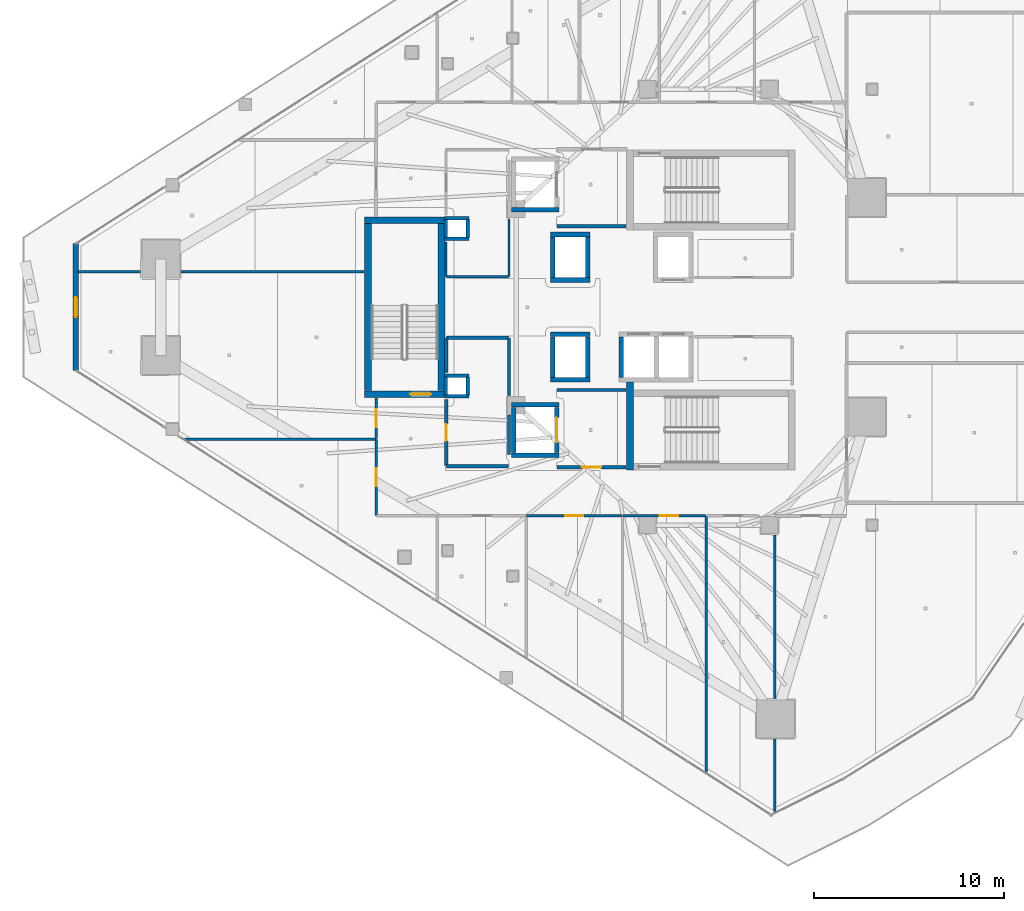
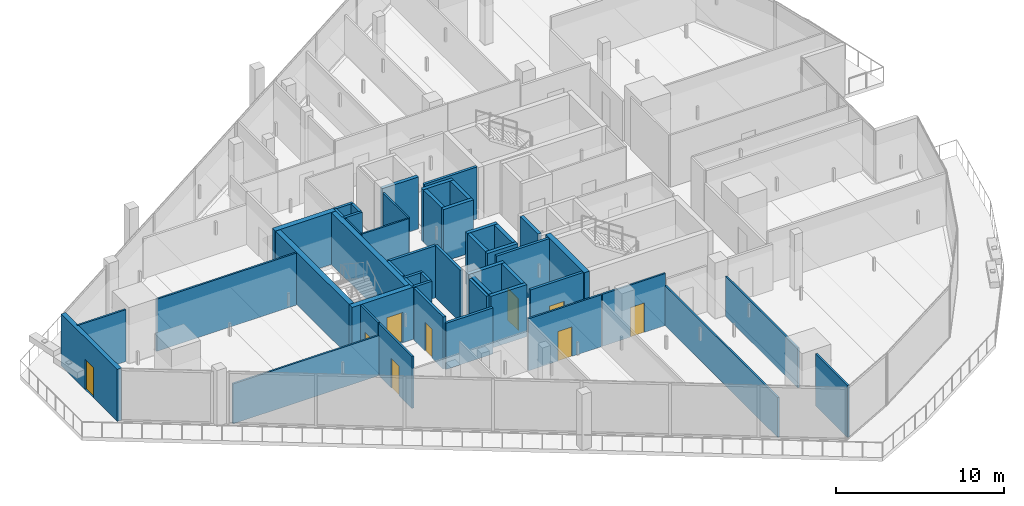
# One storey, part 22 of 33: 50 walls, 9 doors, 9 openings.
"""IFC4 building model written with IfcOpenShell, lengths in metres."""

from ifc_helpers import new_model, si_unit, direction, frame, frame_2d, origin, place, context, subcontext, project, spatial, rectangle, extrude, material, layer, layer_set, type_object, element, fill, save


model = new_model("IFC4")

# Units and contexts
model_context = context("Model", 3, precision=1e-05, world=origin(), true_north=direction((0.0, 1.0)))
body_context = subcontext(model_context, "Body", "Model", "MODEL_VIEW")
ifc_project = project(units=[si_unit("LENGTHUNIT", "METRE"), si_unit("AREAUNIT", "SQUARE_METRE"), si_unit("VOLUMEUNIT", "CUBIC_METRE"), si_unit("PLANEANGLEUNIT", "RADIAN"), si_unit("MASSUNIT", "GRAM", prefix="KILO")], contexts=[model_context])

# Site, building, storey
site_placement = place(None, origin())
site = spatial("IfcSite", under=ifc_project, at=site_placement, CompositionType="ELEMENT")
building_placement = place(site_placement, origin())
building = spatial("IfcBuilding", under=site, at=building_placement, Name="Qorvath Tower", CompositionType="ELEMENT")
storey_placement = place(building_placement, frame((0.0, 0.0, 209.10009765625)))
storey = spatial("IfcBuildingStorey", under=building, at=storey_placement, Name="L48", CompositionType="ELEMENT", Elevation=209.10009765625)

# Walls
ifc_material_1 = material(Name="Gypsum shaftliner on steel studs", Category="steel")
ifc_layer_1 = layer(ifc_material_1, 0.179931640625)
ifc_layer_set_1 = layer_set([ifc_layer_1], Name="FW-LOBBY")
wall_type_1 = type_object("IfcWallType", Name="FW-LOBBY", PredefinedType="PARTITIONING", material=ifc_layer_set_1)
for number, where, z_axis, x_axis, name in (
    (1, (-32.989990234375, 3.594970703125, 0.0), (0.0, 0.0, 1.0), (-1.0, 0.0, 0.0), "MEP Riser Shaft Enclosure Wall N-L48-S"),
    (2, (-34.260009765625, 4.675048828125, 0.0), (0.0, 0.0, 1.0), (1.0, 0.0, 0.0), "MEP Riser Shaft Enclosure Wall N-L48-N"),
):
    element("IfcWall", number, at=place(storey_placement, frame(where, z_axis=z_axis, x_axis=x_axis)), inside=storey, type_object=wall_type_1, Name=name, PredefinedType="PARTITIONING", context=body_context, shape_type="SweptSolid", body=[
        extrude(rectangle(XDim=1.27001953125, YDim=0.179931640625, at=frame_2d((0.635009765625, 0.0))), origin(), (0.0, 0.0, 1.0), 3.77978515625),
    ])
for number, where, z_axis, x_axis, name in (
    (3, (-34.205078125, 3.659912109375, 0.0), (0.0, 0.0, 1.0), (0.0, 1.0, 0.0), "MEP Riser Shaft Enclosure Wall N-L48-W"),
    (4, (-33.044921875, 4.610107421875, 0.0), (0.0, 0.0, 1.0), (0.0, -1.0, 0.0), "MEP Riser Shaft Enclosure Wall N-L48-E"),
):
    element("IfcWall", number, at=place(storey_placement, frame(where, z_axis=z_axis, x_axis=x_axis)), inside=storey, type_object=wall_type_1, Name=name, PredefinedType="PARTITIONING", context=body_context, shape_type="SweptSolid", body=[
        extrude(rectangle(XDim=0.9501953125, YDim=0.179931640625, at=frame_2d((0.47509765625, 0.0))), origin(), (0.0, 0.0, 1.0), 3.77978515625),
    ])
for number, where, z_axis, x_axis, name in (
    (5, (-32.989990234375, -4.675048828125, 0.0), (0.0, 0.0, 1.0), (-1.0, 0.0, 0.0), "MEP Riser Shaft Enclosure Wall S-L48-S"),
    (6, (-34.260009765625, -3.594970703125, 0.0), (0.0, 0.0, 1.0), (1.0, 0.0, 0.0), "MEP Riser Shaft Enclosure Wall S-L48-N"),
):
    element("IfcWall", number, at=place(storey_placement, frame(where, z_axis=z_axis, x_axis=x_axis)), inside=storey, type_object=wall_type_1, Name=name, PredefinedType="PARTITIONING", context=body_context, shape_type="SweptSolid", body=[
        extrude(rectangle(XDim=1.27001953125, YDim=0.179931640625, at=frame_2d((0.635009765625, 0.0))), origin(), (0.0, 0.0, 1.0), 3.77978515625),
    ])
for number, where, z_axis, x_axis, name in (
    (7, (-34.205078125, -4.610107421875, 0.0), (0.0, 0.0, 1.0), (0.0, 1.0, 0.0), "MEP Riser Shaft Enclosure Wall S-L48-W"),
    (8, (-33.044921875, -3.659912109375, 0.0), (0.0, 0.0, 1.0), (0.0, -1.0, 0.0), "MEP Riser Shaft Enclosure Wall S-L48-E"),
):
    element("IfcWall", number, at=place(storey_placement, frame(where, z_axis=z_axis, x_axis=x_axis)), inside=storey, type_object=wall_type_1, Name=name, PredefinedType="PARTITIONING", context=body_context, shape_type="SweptSolid", body=[
        extrude(rectangle(XDim=0.9501953125, YDim=0.179931640625, at=frame_2d((0.47509765625, 0.0))), origin(), (0.0, 0.0, 1.0), 3.77978515625),
    ])
wall_1_placement = place(storey_placement, frame((-28.35498046875, 4.25, 0.0), z_axis=(0.0, 0.0, 1.0), x_axis=(1.0, 0.0, 0.0)))
element("IfcWall", 9, at=wall_1_placement, inside=storey, type_object=wall_type_1, Name="Interior Partition IW-T1-L48-001", PredefinedType="PARTITIONING", context=body_context, shape_type="SweptSolid", body=[
    extrude(rectangle(XDim=3.6220703125, YDim=0.179931640625, at=frame_2d((1.81103515625, 0.0))), origin(), (0.0, 0.0, 1.0), 3.77978515625),
])

# Wall, opening, door
wall_2_placement = place(storey_placement, frame((-28.35498046875, -8.39990234375, 0.0), z_axis=(0.0, 0.0, 1.0), x_axis=(1.0, 0.0, 0.0)))
wall_2 = element("IfcWall", 10, at=wall_2_placement, inside=storey, type_object=wall_type_1, Name="Interior Partition IW-T1-L48-003", PredefinedType="PARTITIONING", context=body_context, shape_type="SweptSolid", body=[
    extrude(rectangle(XDim=3.6220703125, YDim=0.179931640625, at=frame_2d((1.81103515625, 0.0))), origin(), (0.0, 0.0, 1.0), 3.77978515625),
])
opening_1_placement = place(wall_2_placement, frame((1.31103515625, 0.0, 0.0)))
opening_1 = element("IfcOpeningElement", 11, at=opening_1_placement, cuts=wall_2, Name="Opening D-T1-L48-22", PredefinedType="OPENING", context=body_context, shape_type="SweptSolid", body=[
    extrude(rectangle(XDim=1.0, YDim=2.14990234375, at=frame_2d((0.5, 1.074951171875))), frame((0.0, 0.10009765625, 0.0), z_axis=(0.0, -1.0, 0.0), x_axis=(1.0, 0.0, 0.0)), (0.0, 0.0, 1.0), 0.199951171875),
])
ifc_material_2 = material(Name="Painted galvanised hollow metal", Category="steel")
door_type_1 = type_object("IfcDoorType", Name="FD-60", OperationType="NOTDEFINED", PredefinedType="DOOR", material=ifc_material_2)
door_1_placement = place(opening_1_placement, origin())
door_1 = element("IfcDoor", 12, at=door_1_placement, inside=storey, type_object=door_type_1, Name="Lobby Fire Service Elevator South Door D-T1-L48-22", OperationType="SINGLE_SWING_RIGHT", OverallHeight=2.14990234375, OverallWidth=1.0, PredefinedType="DOOR", context=body_context, shape_type="SweptSolid", body=[
    extrude(rectangle(XDim=1.0, YDim=2.14990234375, at=frame_2d((0.5, 1.074951171875))), frame((0.0, 0.02490234375, 0.0), z_axis=(0.0, -1.0, 0.0), x_axis=(1.0, 0.0, 0.0)), (0.0, 0.0, 1.0), 0.050048828125),
])
fill(opening_1, door_1)

# Walls
wall_3_placement = place(storey_placement, frame((-24.73291015625, -4.35009765625, 0.0), z_axis=(0.0, 0.0, 1.0), x_axis=(-1.0, 0.0, 0.0)))
element("IfcWall", 13, at=wall_3_placement, inside=storey, type_object=wall_type_1, Name="Interior Partition IW-T1-L48-004", PredefinedType="PARTITIONING", context=body_context, shape_type="SweptSolid", body=[
    extrude(rectangle(XDim=3.6220703125, YDim=0.179931640625, at=frame_2d((1.81103515625, 0.0))), origin(), (0.0, 0.0, 1.0), 3.77978515625),
])
wall_4_placement = place(storey_placement, frame((-34.15478515625, -8.35009765625, 0.0), z_axis=(0.0, 0.0, 1.0), x_axis=(1.0, 0.0, 0.0)))
element("IfcWall", 14, at=wall_4_placement, inside=storey, type_object=wall_type_1, Name="Interior Partition IW-T1-L48-015", PredefinedType="PARTITIONING", context=body_context, shape_type="SweptSolid", body=[
    extrude(rectangle(XDim=3.25, YDim=0.179931640625, at=frame_2d((1.625, 0.0))), origin(), (0.0, 0.0, 1.0), 3.343994140625),
])
wall_5_placement = place(storey_placement, frame((-30.8798828125, -7.742919921875, 0.0), z_axis=(0.0, 0.0, 1.0), x_axis=(0.0, 1.0, 0.0)))
element("IfcWall", 15, at=wall_5_placement, inside=storey, type_object=wall_type_1, Name="Interior Partition IW-T1-L48-016", PredefinedType="PARTITIONING", context=body_context, shape_type="SweptSolid", body=[
    extrude(rectangle(XDim=2.077880859375, YDim=0.179931640625, at=frame_2d((1.0390625, 0.0))), origin(), (0.0, 0.0, 1.0), 3.77978515625),
])
wall_6_placement = place(storey_placement, frame((-30.8798828125, -4.635009765625, 0.0), z_axis=(0.0, 0.0, 1.0), x_axis=(0.0, 1.0, 0.0)))
element("IfcWall", 16, at=wall_6_placement, inside=storey, type_object=wall_type_1, Name="Interior Partition IW-T1-L48-017", PredefinedType="PARTITIONING", context=body_context, shape_type="SweptSolid", body=[
    extrude(rectangle(XDim=3.010009765625, YDim=0.179931640625, at=frame_2d((1.5048828125, 0.0))), origin(), (0.0, 0.0, 1.0), 3.77978515625),
])
wall_7_placement = place(storey_placement, frame((-30.90478515625, -1.60009765625, 0.0), z_axis=(0.0, 0.0, 1.0), x_axis=(-1.0, 0.0, 0.0)))
element("IfcWall", 17, at=wall_7_placement, inside=storey, type_object=wall_type_1, Name="Interior Partition IW-T1-L48-018", PredefinedType="PARTITIONING", context=body_context, shape_type="SweptSolid", body=[
    extrude(rectangle(XDim=3.25, YDim=0.179931640625, at=frame_2d((1.625, 0.0))), origin(), (0.0, 0.0, 1.0), 3.77978515625),
])
wall_8_placement = place(storey_placement, frame((-34.179931640625, -1.625, 0.0), z_axis=(0.0, 0.0, 1.0), x_axis=(0.0, -1.0, 0.0)))
element("IfcWall", 18, at=wall_8_placement, inside=storey, type_object=wall_type_1, Name="Interior Partition IW-T1-L48-019", PredefinedType="PARTITIONING", context=body_context, shape_type="SweptSolid", body=[
    extrude(rectangle(XDim=1.804931640625, YDim=0.179931640625, at=frame_2d((0.90234375, 0.0))), origin(), (0.0, 0.0, 1.0), 3.77978515625),
])

# Wall, opening, door
wall_9_placement = place(storey_placement, frame((-34.179931640625, -4.840087890625, 0.0), z_axis=(0.0, 0.0, 1.0), x_axis=(0.0, -1.0, 0.0)))
wall_9 = element("IfcWall", 19, at=wall_9_placement, inside=storey, type_object=wall_type_1, Name="Interior Partition IW-T1-L48-020", PredefinedType="PARTITIONING", context=body_context, shape_type="SweptSolid", body=[
    extrude(rectangle(XDim=3.485107421875, YDim=0.179931640625, at=frame_2d((1.74267578125, 0.0))), origin(), (0.0, 0.0, 1.0), 3.77978515625),
])
opening_2_placement = place(wall_9_placement, frame((1.302490234375, 0.0, 0.0)))
opening_2 = element("IfcOpeningElement", 20, at=opening_2_placement, cuts=wall_9, Name="Opening D-T1-L48-04", PredefinedType="OPENING", context=body_context, shape_type="SweptSolid", body=[
    extrude(rectangle(XDim=0.8798828125, YDim=2.10009765625, at=frame_2d((0.43994140625, 1.050048828125))), frame((0.0, 0.10009765625, 0.0), z_axis=(0.0, -1.0, 0.0), x_axis=(1.0, 0.0, 0.0)), (0.0, 0.0, 1.0), 0.199951171875),
])
ifc_material_3 = material(Name="Painted galvanised hollow metal", Category="steel")
door_type_2 = type_object("IfcDoorType", Name="FD-60N", OperationType="NOTDEFINED", PredefinedType="DOOR", material=ifc_material_3)
door_2_placement = place(opening_2_placement, origin())
door_2 = element("IfcDoor", 21, at=door_2_placement, inside=storey, type_object=door_type_2, Name="Core electrical and cleaner room L48 Door D-T1-L48-04", OperationType="SINGLE_SWING_RIGHT", OverallHeight=2.10009765625, OverallWidth=0.8798828125, PredefinedType="DOOR", context=body_context, shape_type="SweptSolid", body=[
    extrude(rectangle(XDim=0.8798828125, YDim=2.10009765625, at=frame_2d((0.43994140625, 1.050048828125))), frame((0.0, 0.02490234375, 0.0), z_axis=(0.0, -1.0, 0.0), x_axis=(1.0, 0.0, 0.0)), (0.0, 0.0, 1.0), 0.050048828125),
])
fill(opening_2, door_2)

ifc_material_4 = material(Name="Gypsum board on metal studs with mineral wool", Category="gypsum")
ifc_layer_2 = layer(ifc_material_4, 0.125)
ifc_layer_set_2 = layer_set([ifc_layer_2], Name="IW-PART-125")
wall_type_2 = type_object("IfcWallType", Name="IW-PART-125", PredefinedType="PARTITIONING", material=ifc_layer_set_2)
wall_10_placement = place(storey_placement, frame((-24.943115234375, -10.9580078125, 0.0), z_axis=(0.0, 0.0, 1.0), x_axis=(-1.0, 0.0, 0.0)))
wall_10 = element("IfcWall", 22, at=wall_10_placement, inside=storey, type_object=wall_type_2, Name="Interior Partition IW-T1-L48-037", PredefinedType="PARTITIONING", context=body_context, shape_type="SweptSolid", body=[
    extrude(rectangle(XDim=5.002685546875, YDim=0.125, at=frame_2d((2.50146484375, 0.0))), origin(), (0.0, 0.0, 1.0), 3.77978515625),
])
opening_3_placement = place(wall_10_placement, frame((2.0263671875, 0.0, 0.0)))
opening_3 = element("IfcOpeningElement", 23, at=opening_3_placement, cuts=wall_10, Name="Opening D-T1-L48-11", PredefinedType="OPENING", context=body_context, shape_type="SweptSolid", body=[
    extrude(rectangle(XDim=0.949951171875, YDim=2.14990234375, at=frame_2d((0.47509765625, 1.074951171875))), frame((0.0, 0.072509765625, 0.0), z_axis=(0.0, -1.0, 0.0), x_axis=(1.0, 0.0, 0.0)), (0.0, 0.0, 1.0), 0.14501953125),
])
ifc_material_5 = material(Name="Solid-core American white oak veneer", Category="wood")
door_type_3 = type_object("IfcDoorType", Name="D-01", OperationType="NOTDEFINED", PredefinedType="DOOR", material=ifc_material_5)
door_3_placement = place(opening_3_placement, origin())
door_3 = element("IfcDoor", 24, at=door_3_placement, inside=storey, type_object=door_type_3, Name="L48-07 Staff Wellness Studio Door D-T1-L48-11", OperationType="SINGLE_SWING_LEFT", OverallHeight=2.14990234375, OverallWidth=0.949951171875, PredefinedType="DOOR", context=body_context, shape_type="SweptSolid", body=[
    extrude(rectangle(XDim=0.949951171875, YDim=2.14990234375, at=frame_2d((0.47509765625, 1.074951171875))), frame((0.0, 0.02490234375, 0.0), z_axis=(0.0, -1.0, 0.0), x_axis=(1.0, 0.0, 0.0)), (0.0, 0.0, 1.0), 0.050048828125),
])
fill(opening_3, door_3)

wall_11_placement = place(storey_placement, frame((-20.544189453125, -10.9580078125, 0.0), z_axis=(0.0, 0.0, 1.0), x_axis=(-1.0, 0.0, 0.0)))
wall_11 = element("IfcWall", 25, at=wall_11_placement, inside=storey, type_object=wall_type_2, Name="Interior Partition IW-T1-L48-039", PredefinedType="PARTITIONING", context=body_context, shape_type="SweptSolid", body=[
    extrude(rectangle(XDim=4.341064453125, YDim=0.125, at=frame_2d((2.17041015625, 0.0))), origin(), (0.0, 0.0, 1.0), 3.77978515625),
])
opening_4_placement = place(wall_11_placement, frame((1.453369140625, 0.0, 0.0)))
opening_4 = element("IfcOpeningElement", 26, at=opening_4_placement, cuts=wall_11, Name="Opening D-T1-L48-12", PredefinedType="OPENING", context=body_context, shape_type="SweptSolid", body=[
    extrude(rectangle(XDim=0.949951171875, YDim=2.14990234375, at=frame_2d((0.47509765625, 1.074951171875))), frame((0.0, 0.072509765625, 0.0), z_axis=(0.0, -1.0, 0.0), x_axis=(1.0, 0.0, 0.0)), (0.0, 0.0, 1.0), 0.14501953125),
])
door_4_placement = place(opening_4_placement, origin())
door_4 = element("IfcDoor", 27, at=door_4_placement, inside=storey, type_object=door_type_3, Name="L48-08 Design Pin-Up Atelier Door D-T1-L48-12", OperationType="SINGLE_SWING_RIGHT", OverallHeight=2.14990234375, OverallWidth=0.949951171875, PredefinedType="DOOR", context=body_context, shape_type="SweptSolid", body=[
    extrude(rectangle(XDim=0.949951171875, YDim=2.14990234375, at=frame_2d((0.47509765625, 1.074951171875))), frame((0.0, 0.02490234375, 0.0), z_axis=(0.0, -1.0, 0.0), x_axis=(1.0, 0.0, 0.0)), (0.0, 0.0, 1.0), 0.050048828125),
])
fill(opening_4, door_4)

# Walls
wall_12_placement = place(storey_placement, frame((-20.519287109375, -24.4189453125, 0.0), z_axis=(0.0, 0.0, 1.0), x_axis=(0.0, 1.0, 0.0)))
element("IfcWall", 28, at=wall_12_placement, inside=storey, type_object=wall_type_2, Name="Interior Partition IW-T1-L48-040", PredefinedType="PARTITIONING", context=body_context, shape_type="SweptSolid", body=[
    extrude(rectangle(XDim=13.43603515625, YDim=0.125, at=frame_2d((6.718017578125, 0.0))), origin(), (0.0, 0.0, 1.0), 2.894775390625),
])
wall_13_placement = place(storey_placement, frame((-16.918701171875, -26.506103515625, 0.0), z_axis=(0.0, 0.0, 1.0), x_axis=(0.0, 1.0, 0.0)))
element("IfcWall", 29, at=wall_13_placement, inside=storey, type_object=wall_type_2, Name="Interior Partition IW-T1-L48-041", PredefinedType="PARTITIONING", context=body_context, shape_type="SweptSolid", body=[
    extrude(rectangle(XDim=3.81396484375, YDim=0.125, at=frame_2d((1.906982421875, 0.0))), origin(), (0.0, 0.0, 1.0), 3.77978515625),
])
wall_14_placement = place(storey_placement, frame((-16.918701171875, -20.56201171875, 0.0), z_axis=(0.0, 0.0, 1.0), x_axis=(0.0, 1.0, 0.0)))
element("IfcWall", 30, at=wall_14_placement, inside=storey, type_object=wall_type_2, Name="Interior Partition IW-T1-L48-042", PredefinedType="PARTITIONING", context=body_context, shape_type="SweptSolid", body=[
    extrude(rectangle(XDim=8.596923828125, YDim=0.125, at=frame_2d((4.29833984375, 0.0))), origin(), (0.0, 0.0, 1.0), 2.899658203125),
])

# Wall, opening, door
wall_15_placement = place(storey_placement, frame((-37.85791015625, -10.93310546875, 0.0), z_axis=(0.0, 0.0, 1.0), x_axis=(0.0, 1.0, 0.0)))
wall_15 = element("IfcWall", 31, at=wall_15_placement, inside=storey, type_object=wall_type_2, Name="Interior Partition IW-T1-L48-055", PredefinedType="PARTITIONING", context=body_context, shape_type="SweptSolid", body=[
    extrude(rectangle(XDim=3.977294921875, YDim=0.125, at=frame_2d((1.98876953125, 0.0))), origin(), (0.0, 0.0, 1.0), 3.77978515625),
])
opening_5_placement = place(wall_15_placement, frame((1.513671875, 0.0, 0.0)))
opening_5 = element("IfcOpeningElement", 32, at=opening_5_placement, cuts=wall_15, Name="Opening D-T1-L48-17", PredefinedType="OPENING", context=body_context, shape_type="SweptSolid", body=[
    extrude(rectangle(XDim=0.949951171875, YDim=2.14990234375, at=frame_2d((0.47509765625, 1.074951171875))), frame((0.0, 0.072509765625, 0.0), z_axis=(0.0, -1.0, 0.0), x_axis=(1.0, 0.0, 0.0)), (0.0, 0.0, 1.0), 0.14501953125),
])
door_5_placement = place(opening_5_placement, origin())
door_5 = element("IfcDoor", 33, at=door_5_placement, inside=storey, type_object=door_type_3, Name="L48-14 Focus Collaboration Pod Door D-T1-L48-17", OperationType="SINGLE_SWING_LEFT", OverallHeight=2.14990234375, OverallWidth=0.949951171875, PredefinedType="DOOR", context=body_context, shape_type="SweptSolid", body=[
    extrude(rectangle(XDim=0.949951171875, YDim=2.14990234375, at=frame_2d((0.47509765625, 1.074951171875))), frame((0.0, 0.02490234375, 0.0), z_axis=(0.0, -1.0, 0.0), x_axis=(1.0, 0.0, 0.0)), (0.0, 0.0, 1.0), 0.050048828125),
])
fill(opening_5, door_5)

# Wall
wall_16_placement = place(storey_placement, frame((-37.8828125, -6.930908203125, 0.0), z_axis=(0.0, 0.0, 1.0), x_axis=(-1.0, 0.0, 0.0)))
element("IfcWall", 34, at=wall_16_placement, inside=storey, type_object=wall_type_2, Name="Interior Partition IW-T1-L48-056", PredefinedType="PARTITIONING", context=body_context, shape_type="SweptSolid", body=[
    extrude(rectangle(XDim=10.043701171875, YDim=0.125, at=frame_2d((5.02197265625, 0.0))), origin(), (0.0, 0.0, 1.0), 2.899658203125),
])

# Wall, opening, door
wall_17_placement = place(storey_placement, frame((-37.85791015625, -6.89794921875, 0.0), z_axis=(0.0, 0.0, 1.0), x_axis=(0.0, 1.0, 0.0)))
wall_17 = element("IfcWall", 35, at=wall_17_placement, inside=storey, type_object=wall_type_2, Name="Interior Partition IW-T1-L48-057", PredefinedType="PARTITIONING", context=body_context, shape_type="SweptSolid", body=[
    extrude(rectangle(XDim=2.11474609375, YDim=0.125, at=frame_2d((1.057373046875, 0.0))), origin(), (0.0, 0.0, 1.0), 3.77978515625),
])
opening_6_placement = place(wall_17_placement, frame((0.582275390625, 0.0, 0.0)))
opening_6 = element("IfcOpeningElement", 36, at=opening_6_placement, cuts=wall_17, Name="Opening D-T1-L48-18", PredefinedType="OPENING", context=body_context, shape_type="SweptSolid", body=[
    extrude(rectangle(XDim=0.949951171875, YDim=2.14990234375, at=frame_2d((0.47509765625, 1.074951171875))), frame((0.0, 0.072509765625, 0.0), z_axis=(0.0, -1.0, 0.0), x_axis=(1.0, 0.0, 0.0)), (0.0, 0.0, 1.0), 0.14501953125),
])
door_6_placement = place(opening_6_placement, origin())
door_6 = element("IfcDoor", 37, at=door_6_placement, inside=storey, type_object=door_type_3, Name="L48-15 Staff Refreshment Pantry and Coffee Bar Door D-T1-L48-18", OperationType="SINGLE_SWING_RIGHT", OverallHeight=2.14990234375, OverallWidth=0.949951171875, PredefinedType="DOOR", context=body_context, shape_type="SweptSolid", body=[
    extrude(rectangle(XDim=0.949951171875, YDim=2.14990234375, at=frame_2d((0.47509765625, 1.074951171875))), frame((0.0, 0.02490234375, 0.0), z_axis=(0.0, -1.0, 0.0), x_axis=(1.0, 0.0, 0.0)), (0.0, 0.0, 1.0), 0.050048828125),
])
fill(opening_6, door_6)

# Walls
wall_18_placement = place(storey_placement, frame((-38.492919921875, 1.852783203125, 0.0), z_axis=(0.0, 0.0, 1.0), x_axis=(-1.0, 0.0, 0.0)))
element("IfcWall", 38, at=wall_18_placement, inside=storey, type_object=wall_type_2, Name="Interior Partition IW-T1-L48-058", PredefinedType="PARTITIONING", context=body_context, shape_type="SweptSolid", body=[
    extrude(rectangle(XDim=9.614013671875, YDim=0.125, at=frame_2d((4.80712890625, 0.0))), origin(), (0.0, 0.0, 1.0), 3.77978515625),
])
wall_19_placement = place(storey_placement, frame((-50.23681640625, 1.852783203125, 0.0), z_axis=(0.0, 0.0, 1.0), x_axis=(-1.0, 0.0, 0.0)))
element("IfcWall", 39, at=wall_19_placement, inside=storey, type_object=wall_type_2, Name="Interior Partition IW-T1-L48-059", PredefinedType="PARTITIONING", context=body_context, shape_type="SweptSolid", body=[
    extrude(rectangle(XDim=3.31591796875, YDim=0.125, at=frame_2d((1.657958984375, 0.0))), origin(), (0.0, 0.0, 1.0), 3.77978515625),
])
ifc_material_6 = material(Name="Moisture-resistant cement board on metal studs", Category="gypsum")
ifc_layer_3 = layer(ifc_material_6, 0.110107421875)
ifc_layer_set_3 = layer_set([ifc_layer_3], Name="IW-WC-110")
wall_type_3 = type_object("IfcWallType", Name="IW-WC-110", PredefinedType="PARTITIONING", material=ifc_layer_set_3)
wall_20_placement = place(storey_placement, frame((-34.15478515625, 1.60009765625, 0.0), z_axis=(0.0, 0.0, 1.0), x_axis=(1.0, 0.0, 0.0)))
element("IfcWall", 40, at=wall_20_placement, inside=storey, type_object=wall_type_3, Name="Interior Partition IW-T1-L48-005", PredefinedType="PARTITIONING", context=body_context, shape_type="SweptSolid", body=[
    extrude(rectangle(XDim=3.25, YDim=0.110107421875, at=frame_2d((1.625, 0.0))), origin(), (0.0, 0.0, 1.0), 3.77978515625),
])
wall_21_placement = place(storey_placement, frame((-30.8798828125, 1.625, 0.0), z_axis=(0.0, 0.0, 1.0), x_axis=(0.0, 1.0, 0.0)))
element("IfcWall", 41, at=wall_21_placement, inside=storey, type_object=wall_type_3, Name="Interior Partition IW-T1-L48-006", PredefinedType="PARTITIONING", context=body_context, shape_type="SweptSolid", body=[
    extrude(rectangle(XDim=3.010009765625, YDim=0.110107421875, at=frame_2d((1.5048828125, 0.0))), origin(), (0.0, 0.0, 1.0), 3.77978515625),
])
wall_22_placement = place(storey_placement, frame((-34.179931640625, 3.429931640625, 0.0), z_axis=(0.0, 0.0, 1.0), x_axis=(0.0, -1.0, 0.0)))
element("IfcWall", 42, at=wall_22_placement, inside=storey, type_object=wall_type_3, Name="Interior Partition IW-T1-L48-010", PredefinedType="PARTITIONING", context=body_context, shape_type="SweptSolid", body=[
    extrude(rectangle(XDim=1.804931640625, YDim=0.110107421875, at=frame_2d((0.90234375, 0.0))), origin(), (0.0, 0.0, 1.0), 3.77978515625),
])
ifc_material_7 = material(Name="Concrete C60/75", Category="concrete")
ifc_layer_4 = layer(ifc_material_7, 0.260009765625)
ifc_layer_set_4 = layer_set([ifc_layer_4], Name="SW-SHAFT")
wall_type_4 = type_object("IfcWallType", Name="SW-SHAFT", PredefinedType="SHEAR", material=ifc_layer_set_4)
for number, where, z_axis, x_axis, name in (
    (43, (-28.260009765625, 5.1298828125, 0.0), (0.0, 0.0, 1.0), (-1.0, 0.0, 0.0), "Hoistway Wall FSAE-1 L48 S"),
    (44, (-28.260009765625, -7.77001953125, 0.0), (0.0, 0.0, 1.0), (-1.0, 0.0, 0.0), "Hoistway Wall FSAE-2 L48 S"),
    (45, (-30.739990234375, -5.1298828125, 0.0), (0.0, 0.0, 1.0), (1.0, 0.0, 0.0), "Hoistway Wall FSAE-2 L48 N"),
):
    element("IfcWall", number, at=place(storey_placement, frame(where, z_axis=z_axis, x_axis=x_axis)), inside=storey, type_object=wall_type_4, Name=name, PredefinedType="SHEAR", context=body_context, shape_type="SweptSolid", body=[
        extrude(rectangle(XDim=2.47998046875, YDim=0.239990234375, at=frame_2d((1.239990234375, 0.0))), origin(), (0.0, 0.0, 1.0), 3.77978515625),
    ])
wall_23_placement = place(storey_placement, frame((-30.6201171875, -7.637939453125, 0.0), z_axis=(0.0, 0.0, 1.0), x_axis=(0.0, 1.0, 0.0)))
element("IfcWall", 46, at=wall_23_placement, inside=storey, type_object=wall_type_4, Name="Hoistway Wall FSAE-2 L48 W", PredefinedType="SHEAR", context=body_context, shape_type="SweptSolid", body=[
    extrude(rectangle(XDim=2.3759765625, YDim=0.239990234375, at=frame_2d((1.18798828125, 0.0))), origin(), (0.0, 0.0, 1.0), 3.77978515625),
])

# Wall, opening, door
wall_24_placement = place(storey_placement, frame((-28.3798828125, -5.261962890625, 0.0), z_axis=(0.0, 0.0, 1.0), x_axis=(0.0, -1.0, 0.0)))
wall_24 = element("IfcWall", 47, at=wall_24_placement, inside=storey, type_object=wall_type_4, Name="Hoistway Wall FSAE-2 L48 E", PredefinedType="SHEAR", context=body_context, shape_type="SweptSolid", body=[
    extrude(rectangle(XDim=2.3759765625, YDim=0.239990234375, at=frame_2d((1.18798828125, 0.0))), origin(), (0.0, 0.0, 1.0), 3.77978515625),
])
opening_7_placement = place(wall_24_placement, frame((0.5380859375, 0.0, 0.0)))
opening_7 = element("IfcOpeningElement", 48, at=opening_7_placement, cuts=wall_24, Name="Opening LD-FSAE-2-L48", PredefinedType="OPENING", context=body_context, shape_type="SweptSolid", body=[
    extrude(rectangle(XDim=1.300048828125, YDim=2.300048828125, at=frame_2d((0.64990234375, 1.14990234375))), frame((0.0, 0.1298828125, 0.0), z_axis=(0.0, -1.0, 0.0), x_axis=(1.0, 0.0, 0.0)), (0.0, 0.0, 1.0), 0.260009765625),
])
ifc_material_8 = material(Name="Brushed stainless steel AISI 316", Category="steel")
door_type_4 = type_object("IfcDoorType", Name="LD-02", OperationType="NOTDEFINED", PredefinedType="DOOR", material=ifc_material_8)
door_7_placement = place(opening_7_placement, origin())
door_7 = element("IfcDoor", 49, at=door_7_placement, inside=storey, type_object=door_type_4, Name="Elevator Landing Sliding Door LD-FSAE-2-L48", OperationType="DOUBLE_DOOR_SLIDING", OverallHeight=2.300048828125, OverallWidth=1.300048828125, PredefinedType="DOOR", context=body_context, shape_type="SweptSolid", body=[
    extrude(rectangle(XDim=1.300048828125, YDim=2.300048828125, at=frame_2d((0.64990234375, 1.14990234375))), frame((0.0, 0.02490234375, 0.0), z_axis=(0.0, -1.0, 0.0), x_axis=(1.0, 0.0, 0.0)), (0.0, 0.0, 1.0), 0.050048828125),
])
fill(opening_7, door_7)

# Walls
for number, where, z_axis, x_axis, name in (
    (50, (-26.610107421875, 1.429931640625, 0.0), (0.0, 0.0, 1.0), (-1.0, 0.0, 0.0), "Hoistway Wall PS-1 L48 S"),
    (51, (-28.68994140625, 3.820068359375, 0.0), (0.0, 0.0, 1.0), (1.0, 0.0, 0.0), "Hoistway Wall PS-1 L48 N"),
):
    element("IfcWall", number, at=place(storey_placement, frame(where, z_axis=z_axis, x_axis=x_axis)), inside=storey, type_object=wall_type_4, Name=name, PredefinedType="SHEAR", context=body_context, shape_type="SweptSolid", body=[
        extrude(rectangle(XDim=2.079833984375, YDim=0.239990234375, at=frame_2d((1.0400390625, 0.0))), origin(), (0.0, 0.0, 1.0), 3.77978515625),
    ])
for number, where, z_axis, x_axis, name in (
    (52, (-28.570068359375, 1.56201171875, 0.0), (0.0, 0.0, 1.0), (0.0, 1.0, 0.0), "Hoistway Wall PS-1 L48 W"),
    (53, (-26.72998046875, 3.68798828125, 0.0), (0.0, 0.0, 1.0), (0.0, -1.0, 0.0), "Hoistway Wall PS-1 L48 E"),
):
    element("IfcWall", number, at=place(storey_placement, frame(where, z_axis=z_axis, x_axis=x_axis)), inside=storey, type_object=wall_type_4, Name=name, PredefinedType="SHEAR", context=body_context, shape_type="SweptSolid", body=[
        extrude(rectangle(XDim=2.1259765625, YDim=0.239990234375, at=frame_2d((1.06298828125, 0.0))), origin(), (0.0, 0.0, 1.0), 3.77978515625),
    ])
for number, where, z_axis, x_axis, name in (
    (54, (-26.610107421875, -3.820068359375, 0.0), (0.0, 0.0, 1.0), (-1.0, 0.0, 0.0), "Hoistway Wall PS-2 L48 S"),
    (55, (-28.68994140625, -1.429931640625, 0.0), (0.0, 0.0, 1.0), (1.0, 0.0, 0.0), "Hoistway Wall PS-2 L48 N"),
):
    element("IfcWall", number, at=place(storey_placement, frame(where, z_axis=z_axis, x_axis=x_axis)), inside=storey, type_object=wall_type_4, Name=name, PredefinedType="SHEAR", context=body_context, shape_type="SweptSolid", body=[
        extrude(rectangle(XDim=2.079833984375, YDim=0.239990234375, at=frame_2d((1.0400390625, 0.0))), origin(), (0.0, 0.0, 1.0), 3.77978515625),
    ])
for number, where, z_axis, x_axis, name in (
    (56, (-28.570068359375, -3.68798828125, 0.0), (0.0, 0.0, 1.0), (0.0, 1.0, 0.0), "Hoistway Wall PS-2 L48 W"),
    (57, (-26.72998046875, -1.56201171875, 0.0), (0.0, 0.0, 1.0), (0.0, -1.0, 0.0), "Hoistway Wall PS-2 L48 E"),
    (58, (-24.969970703125, -3.68798828125, 0.0), (0.0, 0.0, 1.0), (0.0, 1.0, 0.0), "Hoistway Wall PU-2 L48 W"),
):
    element("IfcWall", number, at=place(storey_placement, frame(where, z_axis=z_axis, x_axis=x_axis)), inside=storey, type_object=wall_type_4, Name=name, PredefinedType="SHEAR", context=body_context, shape_type="SweptSolid", body=[
        extrude(rectangle(XDim=2.1259765625, YDim=0.239990234375, at=frame_2d((1.06298828125, 0.0))), origin(), (0.0, 0.0, 1.0), 3.77978515625),
    ])
ifc_material_9 = material(Name="Concrete C60/75", Category="concrete")
ifc_layer_5 = layer(ifc_material_9, 0.35009765625)
ifc_layer_set_5 = layer_set([ifc_layer_5], Name="SW-STAIR")
wall_type_5 = type_object("IfcWallType", Name="SW-STAIR", PredefinedType="SHEAR", material=ifc_layer_set_5)
wall_25_placement = place(storey_placement, frame((-24.52490234375, -3.93994140625, 0.0), z_axis=(0.0, 0.0, 1.0), x_axis=(0.0, -1.0, 0.0)))
element("IfcWall", 59, at=wall_25_placement, inside=storey, type_object=wall_type_5, Name="Stair TS2 Shear Wall L48 NEAR", PredefinedType="SHEAR", context=body_context, shape_type="SweptSolid", body=[
    extrude(rectangle(XDim=4.610107421875, YDim=0.35009765625, at=frame_2d((2.30517578125, 0.0))), origin(), (0.0, 0.0, 1.0), 3.77978515625),
])

# Wall, opening, door
wall_26_placement = place(storey_placement, frame((-38.4599609375, -4.574951171875, 0.0), z_axis=(0.0, 0.0, 1.0), x_axis=(1.0, 0.0, 0.0)))
wall_26 = element("IfcWall", 60, at=wall_26_placement, inside=storey, type_object=wall_type_5, Name="Stair TS3 Shear Wall L48 NEAR", PredefinedType="SHEAR", context=body_context, shape_type="SweptSolid", body=[
    extrude(rectangle(XDim=4.2099609375, YDim=0.35009765625, at=frame_2d((2.10498046875, 0.0))), origin(), (0.0, 0.0, 1.0), 3.77978515625),
])
opening_8_placement = place(wall_26_placement, frame((2.389892578125, 0.0, 0.0)))
opening_8 = element("IfcOpeningElement", 61, at=opening_8_placement, cuts=wall_26, Name="Opening D-TS3-L48", PredefinedType="OPENING", context=body_context, shape_type="SweptSolid", body=[
    extrude(rectangle(XDim=1.10009765625, YDim=2.199951171875, at=frame_2d((0.550048828125, 1.10009765625))), frame((0.0, 0.18505859375, 0.0), z_axis=(0.0, -1.0, 0.0), x_axis=(1.0, 0.0, 0.0)), (0.0, 0.0, 1.0), 0.3701171875),
])
ifc_material_10 = material(Name="Painted galvanised hollow metal", Category="steel")
door_type_5 = type_object("IfcDoorType", Name="FD-90", OperationType="NOTDEFINED", PredefinedType="DOOR", material=ifc_material_10)
door_8_placement = place(opening_8_placement, origin())
door_8 = element("IfcDoor", 62, at=door_8_placement, inside=storey, type_object=door_type_5, Name="Stair TS3 Fire Door L48", OperationType="SINGLE_SWING_LEFT", OverallHeight=2.199951171875, OverallWidth=1.10009765625, PredefinedType="DOOR", context=body_context, shape_type="SweptSolid", body=[
    extrude(rectangle(XDim=1.10009765625, YDim=2.199951171875, at=frame_2d((0.550048828125, 1.10009765625))), frame((0.0, 0.02490234375, 0.0), z_axis=(0.0, -1.0, 0.0), x_axis=(1.0, 0.0, 0.0)), (0.0, 0.0, 1.0), 0.050048828125),
])
fill(opening_8, door_8)

# Walls
wall_27_placement = place(storey_placement, frame((-34.25, 4.574951171875, 0.0), z_axis=(0.0, 0.0, 1.0), x_axis=(-1.0, 0.0, 0.0)))
element("IfcWall", 63, at=wall_27_placement, inside=storey, type_object=wall_type_5, Name="Stair TS3 Shear Wall L48 FAR", PredefinedType="SHEAR", context=body_context, shape_type="SweptSolid", body=[
    extrude(rectangle(XDim=4.2099609375, YDim=0.35009765625, at=frame_2d((2.10498046875, 0.0))), origin(), (0.0, 0.0, 1.0), 3.77978515625),
])
for number, where, z_axis, x_axis, name in (
    (64, (-34.425048828125, -4.385009765625, 0.0), (0.0, 0.0, 1.0), (0.0, 1.0, 0.0), "Stair TS3 Shear Wall L48 LEFT"),
    (65, (-38.284912109375, 4.385009765625, 0.0), (0.0, 0.0, 1.0), (0.0, -1.0, 0.0), "Stair TS3 Shear Wall L48 RIGHT"),
):
    element("IfcWall", number, at=place(storey_placement, frame(where, z_axis=z_axis, x_axis=x_axis)), inside=storey, type_object=wall_type_5, Name=name, PredefinedType="SHEAR", context=body_context, shape_type="SweptSolid", body=[
        extrude(rectangle(XDim=8.77001953125, YDim=0.35009765625, at=frame_2d((4.385009765625, 0.0))), origin(), (0.0, 0.0, 1.0), 3.77978515625),
    ])

# Wall, opening, door
ifc_material_11 = material(Name="Precast concrete C45/55", Category="concrete")
ifc_layer_6 = layer(ifc_material_11, 0.300048828125)
ifc_layer_set_6 = layer_set([ifc_layer_6], Name="WL-EW-LOG-300")
wall_type_6 = type_object("IfcWallType", Name="WL-EW-LOG-300", PredefinedType="SOLIDWALL", material=ifc_layer_set_6)
wall_28_placement = place(storey_placement, frame((-53.6328125, -3.3349609375, 0.0), z_axis=(0.0, 0.0, 1.0), x_axis=(0.0, 1.0, 0.0)))
wall_28 = element("IfcWall", 66, at=wall_28_placement, inside=storey, type_object=wall_type_6, Name="Tower Precast Loggia Wall L48-1.1", PredefinedType="SOLIDWALL", context=body_context, shape_type="SweptSolid", body=[
    extrude(rectangle(XDim=6.669921875, YDim=0.300048828125, at=frame_2d((3.3349609375, 0.0))), origin(), (0.0, 0.0, 1.0), 3.77978515625),
])
opening_9_placement = place(wall_28_placement, frame((2.81005859375, 0.0, 0.0)))
opening_9 = element("IfcOpeningElement", 67, at=opening_9_placement, cuts=wall_28, Name="Opening ED-L48-01", PredefinedType="OPENING", context=body_context, shape_type="SweptSolid", body=[
    extrude(rectangle(XDim=1.050048828125, YDim=2.199951171875, at=frame_2d((0.52490234375, 1.10009765625))), frame((0.0, 0.16015625, 0.0), z_axis=(0.0, -1.0, 0.0), x_axis=(1.0, 0.0, 0.0)), (0.0, 0.0, 1.0), 0.320068359375),
])
ifc_material_12 = material(Name="Thermally broken aluminium glazed door", Category="aluminium")
door_type_6 = type_object("IfcDoorType", Name="ED-LOG", OperationType="NOTDEFINED", PredefinedType="DOOR", material=ifc_material_12)
door_9_placement = place(opening_9_placement, origin())
door_9 = element("IfcDoor", 68, at=door_9_placement, inside=storey, type_object=door_type_6, Name="L48 Recessed Loggia Access Door 1", OperationType="SINGLE_SWING_LEFT", OverallHeight=2.199951171875, OverallWidth=1.050048828125, PredefinedType="DOOR", context=body_context, shape_type="SweptSolid", body=[
    extrude(rectangle(XDim=1.050048828125, YDim=2.199951171875, at=frame_2d((0.52490234375, 1.10009765625))), frame((0.0, 0.02490234375, 0.0), z_axis=(0.0, -1.0, 0.0), x_axis=(1.0, 0.0, 0.0)), (0.0, 0.0, 1.0), 0.050048828125),
])
fill(opening_9, door_9)

save(model, "model.ifc")
